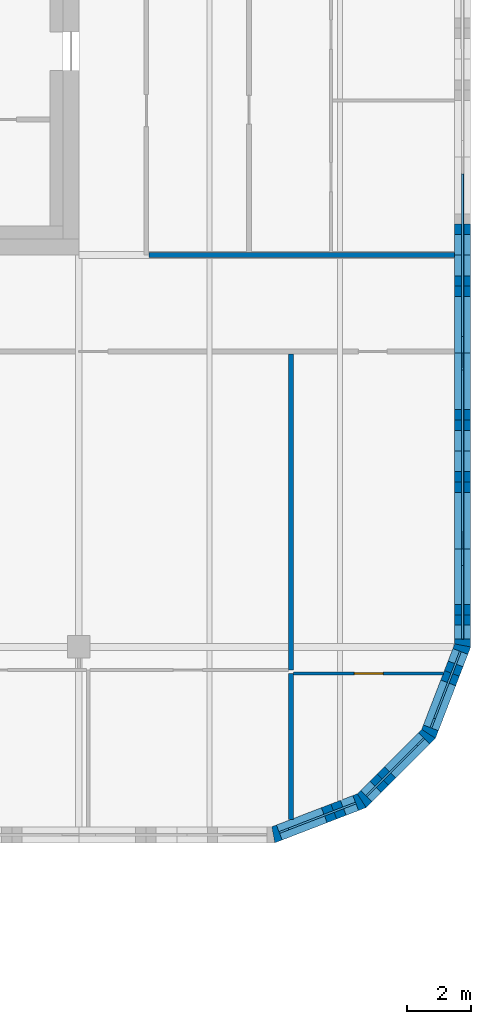
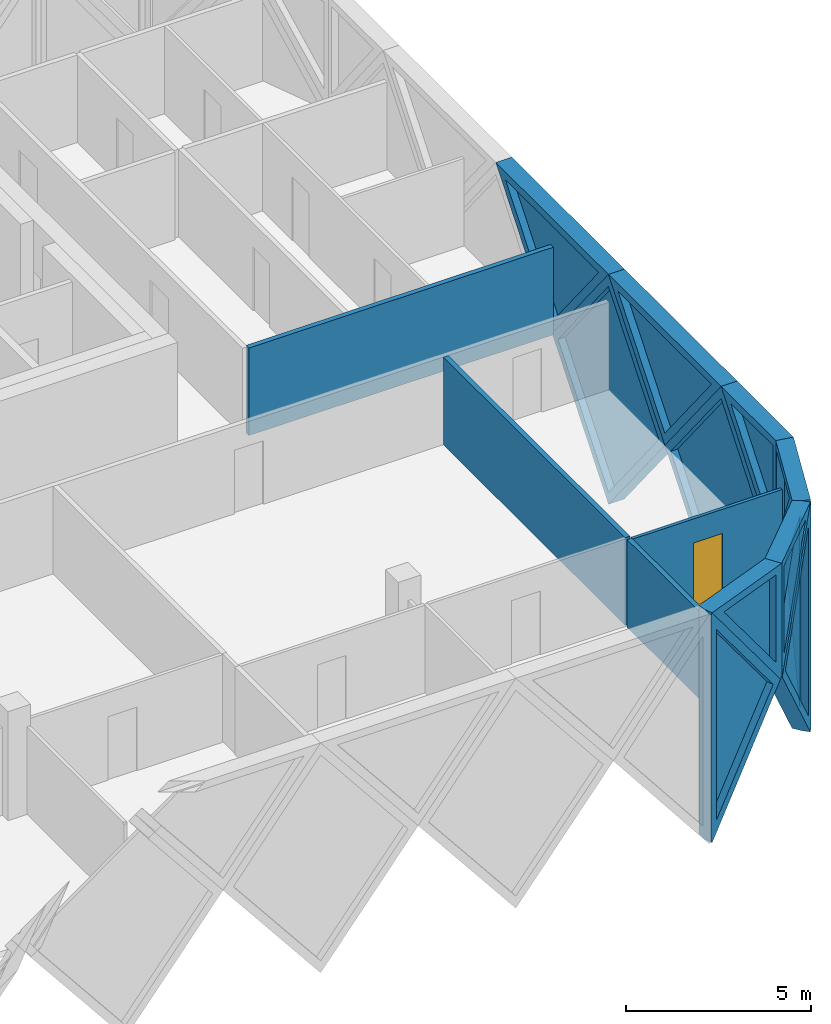
# One storey, part 17 of 21: 15 walls, 11 plates, 1 door, 12 openings.
"""IFC4 building model written with IfcOpenShell, lengths in metres."""

from ifc_helpers import new_model, si_unit, direction, frame, frame_2d, origin, place, context, subcontext, project, spatial, polyline, rectangle, outline, extrude, faceted_brep, source, transform, mapped, material, layer, layer_set, type_object, element, fill, save


model = new_model("IFC4")

# Units and contexts
model_context = context("Model", 3, precision=1e-05, world=origin(), true_north=direction((0.0, 1.0)))
body_context = subcontext(model_context, "Body", "Model", "MODEL_VIEW")
ifc_project = project(units=[si_unit("LENGTHUNIT", "METRE"), si_unit("AREAUNIT", "SQUARE_METRE"), si_unit("VOLUMEUNIT", "CUBIC_METRE"), si_unit("PLANEANGLEUNIT", "RADIAN"), si_unit("MASSUNIT", "GRAM", prefix="KILO")], contexts=[model_context])

# Site, building, storey
site_placement = place(None, origin())
site = spatial("IfcSite", under=ifc_project, at=site_placement, CompositionType="ELEMENT")
building_placement = place(site_placement, origin())
building = spatial("IfcBuilding", under=site, at=building_placement, Name="Tessera Gate Towers", CompositionType="ELEMENT")
storey_placement = place(building_placement, frame((0.0, 0.0, 91.39990234375)))
storey = spatial("IfcBuildingStorey", under=building, at=storey_placement, Name="L22", CompositionType="ELEMENT", Elevation=91.39990234375)

# Wall
ifc_material_1 = material(Name="Gypsum board on steel studs, mineral wool", Category="steel")
ifc_layer_1 = layer(ifc_material_1, 0.14990234375)
ifc_layer_set_1 = layer_set([ifc_layer_1], Name="CORRIDOR WALL 150")
wall_type_1 = type_object("IfcWallType", Name="CORRIDOR WALL 150", PredefinedType="PARTITIONING", material=ifc_layer_set_1)
wall_1_placement = place(storey_placement, frame((124.176025390625, 36.60009765625, 0.0), z_axis=(0.0, 0.0, 1.0), x_axis=(1.0, 0.0, 0.0)))
element("IfcWall", 1, at=wall_1_placement, inside=storey, type_object=wall_type_1, Name="T2-L22-PW-025", PredefinedType="PARTITIONING", context=body_context, shape_type="SweptSolid", body=[
    extrude(rectangle(XDim=9.52392578125, YDim=0.14990234375, at=frame_2d((4.761962890625, 0.0))), origin(), (0.0, 0.0, 1.0), 2.89501953125),
])

# Wall, opening, door
ifc_material_2 = material(Name="Gypsum board on steel studs", Category="steel")
ifc_layer_2 = layer(ifc_material_2, 0.10009765625)
ifc_layer_set_2 = layer_set([ifc_layer_2], Name="PARTITION 100")
wall_type_2 = type_object("IfcWallType", Name="PARTITION 100", PredefinedType="PARTITIONING", material=ifc_layer_set_2)
wall_2_placement = place(storey_placement, frame((133.345703125, 23.574951171875, 0.0), z_axis=(0.0, 0.0, 1.0), x_axis=(-1.0, 0.0, 0.0)))
wall_2 = element("IfcWall", 2, at=wall_2_placement, inside=storey, type_object=wall_type_2, Name="T2-L22-PW-008", PredefinedType="PARTITIONING", context=body_context, shape_type="SweptSolid", body=[
    extrude(rectangle(XDim=4.669677734375, YDim=0.10009765625, at=frame_2d((2.3349609375, 0.0))), origin(), (0.0, 0.0, 1.0), 2.89501953125),
])
shared_shape_1 = source(origin(), body_context, "Body", "SweptSolid", [
    extrude(rectangle(XDim=0.89990234375, YDim=2.10009765625, at=frame_2d((0.449951171875, 1.050048828125))), frame((0.0, 0.06005859375, 0.0), z_axis=(0.0, -1.0, 0.0), x_axis=(1.0, 0.0, 0.0)), (0.0, 0.0, 1.0), 0.1201171875),
])
opening_1_placement = place(wall_2_placement, frame((1.869873046875, 0.0, 0.0)))
opening_1 = element("IfcOpeningElement", 3, at=opening_1_placement, cuts=wall_2, Name="Opening D190-B09-04", PredefinedType="OPENING", context=body_context, shape_type="MappedRepresentation", body=[
    mapped(shared_shape_1, transform((0.0, 0.0, 0.0), scale=1.0)),
])
ifc_material_3 = material(Name="Timber door leaf in steel frame", Category="steel")
door_type = type_object("IfcDoorType", Name="INTERNAL DOOR 900 NOT RATED", OperationType="NOTDEFINED", PredefinedType="DOOR", material=ifc_material_3)
shared_shape_2 = source(origin(), body_context, "Body", "SweptSolid", [
    extrude(rectangle(XDim=0.89990234375, YDim=2.10009765625, at=frame_2d((0.449951171875, 1.050048828125))), frame((0.0, 0.02490234375, 0.0), z_axis=(0.0, -1.0, 0.0), x_axis=(1.0, 0.0, 0.0)), (0.0, 0.0, 1.0), 0.050048828125),
])
door_placement = place(opening_1_placement, origin())
door = element("IfcDoor", 4, at=door_placement, inside=storey, type_object=door_type, Name="T2-L22-PD-005", OperationType="SINGLE_SWING_RIGHT", OverallHeight=2.10009765625, OverallWidth=0.89990234375, PredefinedType="DOOR", context=body_context, shape_type="MappedRepresentation", body=[
    mapped(shared_shape_2, transform((0.0, 0.0, 0.0), scale=1.0)),
])
fill(opening_1, door)

# Walls
ifc_material_4 = material(Name="Gypsum board on steel studs, mineral wool", Category="steel")
ifc_layer_3 = layer(ifc_material_4, 0.14990234375)
ifc_layer_set_3 = layer_set([ifc_layer_3], Name="TENANCY WALL 150")
wall_type_3 = type_object("IfcWallType", Name="TENANCY WALL 150", PredefinedType="PARTITIONING", material=ifc_layer_set_3)
wall_3_placement = place(storey_placement, frame((128.60009765625, 19.02880859375, 0.0), z_axis=(0.0, 0.0, 1.0), x_axis=(0.0, 1.0, 0.0)))
element("IfcWall", 5, at=wall_3_placement, inside=storey, type_object=wall_type_3, Name="T2-L22-PW-007", PredefinedType="PARTITIONING", context=body_context, shape_type="SweptSolid", body=[
    extrude(rectangle(XDim=4.546142578125, YDim=0.14990234375, at=frame_2d((2.27294921875, 0.0))), origin(), (0.0, 0.0, 1.0), 2.89501953125),
])
wall_4_placement = place(storey_placement, frame((128.60009765625, 23.679931640625, 0.0), z_axis=(0.0, 0.0, 1.0), x_axis=(0.0, 1.0, 0.0)))
element("IfcWall", 6, at=wall_4_placement, inside=storey, type_object=wall_type_3, Name="T2-L22-PW-012", PredefinedType="PARTITIONING", context=body_context, shape_type="SweptSolid", body=[
    extrude(rectangle(XDim=9.843994140625, YDim=0.14990234375, at=frame_2d((4.921875, 0.0))), origin(), (0.0, 0.0, 1.0), 2.89501953125),
])

# Wall, opening, plate
ifc_material_5 = material(Name="Precast concrete C60/75 white", Category="concrete")
ifc_layer_4 = layer(ifc_material_5, 0.5)
ifc_layer_set_4 = layer_set([ifc_layer_4], Name="TS1 tessera")
wall_type_4 = type_object("IfcWallType", Name="TS1 tessera", PredefinedType="SOLIDWALL", material=ifc_layer_set_4)
shared_shape_3 = source(origin(), body_context, "Body", "SweptSolid", [
    extrude(outline(polyline([(3.050048828125, 0.0), (6.10009765625, 3.7998046875), (3.050048828125, 7.599853515625), (0.0, 3.7998046875), (3.050048828125, 0.0)])), frame((0.0, 0.25, 0.0), z_axis=(0.0, -1.0, 0.0), x_axis=(1.0, 0.0, 0.0)), (0.0, 0.0, 1.0), 0.5),
])
wall_5_placement = place(storey_placement, frame((133.949951171875, 30.5, -3.7998046875), z_axis=(0.0, 0.0, 1.0), x_axis=(0.0, 1.0, 0.0)))
wall_5 = element("IfcWall", 7, at=wall_5_placement, inside=storey, type_object=wall_type_4, Name="Precast tessera T2 TS1-0276", PredefinedType="SOLIDWALL", context=body_context, shape_type="MappedRepresentation", body=[
    mapped(shared_shape_3, transform((0.0, 0.0, 0.0), scale=1.0)),
])
shared_shape_4 = source(origin(), body_context, "Body", "SweptSolid", [
    extrude(outline(polyline([(3.050048828125, 0.3994140625), (5.779541015625, 3.7998046875), (3.050048828125, 7.200439453125), (0.320556640625, 3.7998046875), (3.050048828125, 0.3994140625)])), frame((0.0, 0.260009765625, 0.0), z_axis=(0.0, -1.0, 0.0), x_axis=(1.0, 0.0, 0.0)), (0.0, 0.0, 1.0), 0.52001953125),
])
opening_2_placement = place(wall_5_placement, origin())
opening_2 = element("IfcOpeningElement", 8, at=opening_2_placement, cuts=wall_5, Name="Opening T2-PL2-0522", PredefinedType="OPENING", context=body_context, shape_type="MappedRepresentation", body=[
    mapped(shared_shape_4, transform((0.0, 0.0, 0.0), scale=1.0)),
])
ifc_material_6 = material(Name="Low-e laminated glass", Category="glass")
ifc_layer_5 = layer(ifc_material_6, 0.06005859375)
ifc_layer_set_5 = layer_set([ifc_layer_5], Name="PL2 rhombic pane")
plate_type_1 = type_object("IfcPlateType", Name="PL2 rhombic pane", PredefinedType="SHEET", material=ifc_layer_set_5)
shared_shape_5 = source(origin(), body_context, "Body", "SweptSolid", [
    extrude(outline(polyline([(3.050048828125, 0.3994140625), (5.779541015625, 3.7998046875), (3.050048828125, 7.200439453125), (0.320556640625, 3.7998046875), (3.050048828125, 0.3994140625)])), frame((0.0, 0.030029296875, 0.0), z_axis=(0.0, -1.0, 0.0), x_axis=(1.0, 0.0, 0.0)), (0.0, 0.0, 1.0), 0.06005859375),
])
plate_1_placement = place(opening_2_placement, origin())
plate_1 = element("IfcPlate", 9, at=plate_1_placement, inside=storey, type_object=plate_type_1, Name="Glass pane T2 PL2-0522", PredefinedType="SHEET", context=body_context, shape_type="MappedRepresentation", body=[
    mapped(shared_shape_5, transform((0.0, 0.0, 0.0), scale=1.0)),
])
fill(opening_2, plate_1)

ifc_material_7 = material(Name="Precast concrete C60/75 white", Category="concrete")
ifc_layer_6 = layer(ifc_material_7, 0.5)
ifc_layer_set_6 = layer_set([ifc_layer_6], Name="TS3 corner tessera")
wall_type_5 = type_object("IfcWallType", Name="TS3 corner tessera", PredefinedType="SOLIDWALL", material=ifc_layer_set_6)
shared_shape_6 = source(origin(), body_context, "Body", "Brep", [
    faceted_brep([(0.046630859375, -0.25, 0.0), (2.9970703125, -0.25, 3.7998046875), (0.046630859375, -0.25, 7.599853515625), (0.0, -0.25, 7.541015625), (0.0, -0.25, 0.058837890625), (0.09326171875, 0.25, 7.539794921875), (2.9443359375, 0.25, 3.867919921875), (2.9443359375, 0.25, 3.731689453125), (0.09326171875, 0.25, 0.06005859375), (2.9970703125, 0.00048828125, 3.7998046875), (0.046630859375, 0.0, 0.0), (0.046630859375, 0.0, 7.599853515625)], [[[0, 1, 2, 3, 4]], [[5, 6, 7, 8]], [[8, 7, 9, 1, 0, 10]], [[6, 5, 11, 2, 1, 9]], [[3, 2, 11]], [[10, 0, 4]], [[8, 10, 4, 3, 11, 5]], [[9, 7, 6]]]),
])
wall_6_placement = place(storey_placement, frame((128.010009765625, 18.533203125, -3.7998046875), z_axis=(0.0, 0.0, 1.0), x_axis=(0.932990326376, 0.359901446078, 0.0)))
wall_6 = element("IfcWall", 10, at=wall_6_placement, inside=storey, type_object=wall_type_5, Name="Precast corner tessera T2 TS3-0324", PredefinedType="SOLIDWALL", context=body_context, shape_type="MappedRepresentation", body=[
    mapped(shared_shape_6, transform((0.0, 0.0, 0.0), scale=1.0)),
])
shared_shape_7 = source(origin(), body_context, "Body", "SweptSolid", [
    extrude(outline(polyline([(0.24658203125, 0.6650390625), (2.6806640625, 3.7998046875), (0.24658203125, 6.9345703125), (0.24658203125, 0.6650390625)])), frame((0.0, 0.260009765625, 0.0), z_axis=(0.0, -1.0, 0.0), x_axis=(1.0, 0.0, 0.0)), (0.0, 0.0, 1.0), 0.52001953125),
])
opening_3_placement = place(wall_6_placement, origin())
opening_3 = element("IfcOpeningElement", 11, at=opening_3_placement, cuts=wall_6, Name="Opening T2-PL2-0518", PredefinedType="OPENING", context=body_context, shape_type="MappedRepresentation", body=[
    mapped(shared_shape_7, transform((0.0, 0.0, 0.0), scale=1.0)),
])
shared_shape_8 = source(origin(), body_context, "Body", "SweptSolid", [
    extrude(outline(polyline([(0.24658203125, 0.6650390625), (2.6806640625, 3.7998046875), (0.24658203125, 6.9345703125), (0.24658203125, 0.6650390625)])), frame((0.0, 0.030029296875, 0.0), z_axis=(0.0, -1.0, 0.0), x_axis=(1.0, 0.0, 0.0)), (0.0, 0.0, 1.0), 0.06005859375),
])
plate_2_placement = place(opening_3_placement, origin())
plate_2 = element("IfcPlate", 12, at=plate_2_placement, inside=storey, type_object=plate_type_1, Name="Glass pane T2 PL2-0518", PredefinedType="SHEET", context=body_context, shape_type="MappedRepresentation", body=[
    mapped(shared_shape_8, transform((0.0, 0.0, 0.0), scale=1.0)),
])
fill(opening_3, plate_2)

shared_shape_9 = source(origin(), body_context, "Body", "Brep", [
    faceted_brep([(3.00341796875, -0.25, 0.0), (6.053466796875, -0.25, 3.7998046875), (3.00341796875, -0.25, 7.599853515625), (0.0, -0.25, 3.7998046875), (0.046630859375, 0.25, 3.858642578125), (3.00341796875, 0.25, 7.599853515625), (6.053466796875, 0.25, 3.7998046875), (3.00341796875, 0.25, 0.0), (0.046630859375, 0.25, 3.740966796875), (0.0, 0.0, 3.7998046875)], [[[0, 1, 2, 3]], [[4, 5, 6, 7, 8]], [[7, 6, 1, 0]], [[6, 5, 2, 1]], [[5, 4, 9, 3, 2]], [[8, 7, 0, 3, 9]], [[8, 9, 4]]]),
])
wall_7_placement = place(storey_placement, frame((133.949951171875, 24.446533203125, -3.7998046875), z_axis=(0.0, 0.0, 1.0), x_axis=(0.0, 1.0, 0.0)))
wall_7 = element("IfcWall", 13, at=wall_7_placement, inside=storey, type_object=wall_type_4, Name="Precast tessera T2 TS1-0275", PredefinedType="SOLIDWALL", context=body_context, shape_type="MappedRepresentation", body=[
    mapped(shared_shape_9, transform((0.0, 0.0, 0.0), scale=1.0)),
])
shared_shape_10 = source(origin(), body_context, "Body", "SweptSolid", [
    extrude(outline(polyline([(3.0048828125, 0.401123046875), (5.73291015625, 3.7998046875), (3.0048828125, 7.19873046875), (0.318603515625, 3.7998046875), (3.0048828125, 0.401123046875)])), frame((0.0, 0.260009765625, 0.0), z_axis=(0.0, -1.0, 0.0), x_axis=(1.0, 0.0, 0.0)), (0.0, 0.0, 1.0), 0.52001953125),
])
opening_4_placement = place(wall_7_placement, origin())
opening_4 = element("IfcOpeningElement", 14, at=opening_4_placement, cuts=wall_7, Name="Opening T2-PL2-0521", PredefinedType="OPENING", context=body_context, shape_type="MappedRepresentation", body=[
    mapped(shared_shape_10, transform((0.0, 0.0, 0.0), scale=1.0)),
])
shared_shape_11 = source(origin(), body_context, "Body", "SweptSolid", [
    extrude(outline(polyline([(3.0048828125, 0.401123046875), (5.73291015625, 3.7998046875), (3.0048828125, 7.19873046875), (0.318603515625, 3.7998046875), (3.0048828125, 0.401123046875)])), frame((0.0, 0.030029296875, 0.0), z_axis=(0.0, -1.0, 0.0), x_axis=(1.0, 0.0, 0.0)), (0.0, 0.0, 1.0), 0.06005859375),
])
plate_3_placement = place(opening_4_placement, origin())
plate_3 = element("IfcPlate", 15, at=plate_3_placement, inside=storey, type_object=plate_type_1, Name="Glass pane T2 PL2-0521", PredefinedType="SHEET", context=body_context, shape_type="MappedRepresentation", body=[
    mapped(shared_shape_11, transform((0.0, 0.0, 0.0), scale=1.0)),
])
fill(opening_4, plate_3)

shared_shape_12 = source(origin(), body_context, "Body", "Brep", [
    faceted_brep([(2.944091796875, -0.25, 0.0), (2.9970703125, -0.25, 0.068115234375), (2.9970703125, -0.25, 7.53173828125), (2.944091796875, -0.25, 7.599853515625), (0.0, -0.25, 3.7998046875), (0.052978515625, 0.25, 3.8681640625), (2.89111328125, 0.25, 7.53173828125), (2.89111328125, 0.25, 0.068115234375), (0.052978515625, 0.25, 3.7314453125), (2.944091796875, 0.000244140625, 0.0), (2.944091796875, 0.000244140625, 7.599853515625), (0.0, 0.0, 3.7998046875)], [[[0, 1, 2, 3, 4]], [[5, 6, 7, 8]], [[1, 0, 9]], [[10, 3, 2]], [[6, 5, 11, 4, 3, 10]], [[8, 7, 9, 0, 4, 11]], [[8, 11, 5]], [[1, 9, 7, 6, 10, 2]]]),
])
wall_8_placement = place(storey_placement, frame((130.80615234375, 19.61181640625, -3.7998046875), z_axis=(0.0, 0.0, 1.0), x_axis=(0.707106781187, 0.707106781187, 0.0)))
wall_8 = element("IfcWall", 16, at=wall_8_placement, inside=storey, type_object=wall_type_5, Name="Precast corner tessera T2 TS3-0325", PredefinedType="SOLIDWALL", context=body_context, shape_type="MappedRepresentation", body=[
    mapped(shared_shape_12, transform((0.0, 0.0, 0.0), scale=1.0)),
])
shared_shape_13 = source(origin(), body_context, "Body", "SweptSolid", [
    extrude(outline(polyline([(2.744140625, 6.93359375), (0.316162109375, 3.7998046875), (2.744140625, 0.666259765625), (2.744140625, 6.93359375)])), frame((0.0, 0.260009765625, 0.0), z_axis=(0.0, -1.0, 0.0), x_axis=(1.0, 0.0, 0.0)), (0.0, 0.0, 1.0), 0.52001953125),
])
opening_5_placement = place(wall_8_placement, origin())
opening_5 = element("IfcOpeningElement", 17, at=opening_5_placement, cuts=wall_8, Name="Opening T2-PL2-0519", PredefinedType="OPENING", context=body_context, shape_type="MappedRepresentation", body=[
    mapped(shared_shape_13, transform((0.0, 0.0, 0.0), scale=1.0)),
])
shared_shape_14 = source(origin(), body_context, "Body", "SweptSolid", [
    extrude(outline(polyline([(2.744140625, 6.93359375), (0.316162109375, 3.7998046875), (2.744140625, 0.666259765625), (2.744140625, 6.93359375)])), frame((0.0, 0.030029296875, 0.0), z_axis=(0.0, -1.0, 0.0), x_axis=(1.0, 0.0, 0.0)), (0.0, 0.0, 1.0), 0.06005859375),
])
plate_4_placement = place(opening_5_placement, origin())
plate_4 = element("IfcPlate", 18, at=plate_4_placement, inside=storey, type_object=plate_type_1, Name="Glass pane T2 PL2-0519", PredefinedType="SHEET", context=body_context, shape_type="MappedRepresentation", body=[
    mapped(shared_shape_14, transform((0.0, 0.0, 0.0), scale=1.0)),
])
fill(opening_5, plate_4)

shared_shape_15 = source(origin(), body_context, "Body", "Brep", [
    faceted_brep([(0.052978515625, -0.25, 0.0), (3.00341796875, -0.25, 3.7998046875), (0.052978515625, -0.25, 7.599853515625), (0.0, -0.25, 7.531494140625), (0.0, -0.25, 0.068359375), (0.10595703125, 0.25, 7.53173828125), (2.95703125, 0.25, 3.859619140625), (2.95703125, 0.25, 3.739990234375), (0.10595703125, 0.25, 0.068115234375), (3.00341796875, 0.00048828125, 3.7998046875), (0.052978515625, 0.0, 0.0), (0.052978515625, 0.0, 7.599853515625)], [[[0, 1, 2, 3, 4]], [[5, 6, 7, 8]], [[8, 7, 9, 1, 0, 10]], [[6, 5, 11, 2, 1, 9]], [[3, 2, 11]], [[10, 0, 4]], [[8, 10, 4, 3, 11, 5]], [[9, 7, 6]]]),
])
wall_9_placement = place(storey_placement, frame((132.869140625, 21.644287109375, -3.7998046875), z_axis=(0.0, 0.0, 1.0), x_axis=(0.359855894603, 0.933007896601, 0.0)))
wall_9 = element("IfcWall", 19, at=wall_9_placement, inside=storey, type_object=wall_type_5, Name="Precast corner tessera T2 TS3-0326", PredefinedType="SOLIDWALL", context=body_context, shape_type="MappedRepresentation", body=[
    mapped(shared_shape_15, transform((0.0, 0.0, 0.0), scale=1.0)),
])
shared_shape_16 = source(origin(), body_context, "Body", "SweptSolid", [
    extrude(outline(polyline([(0.2529296875, 0.6650390625), (2.68701171875, 3.7998046875), (0.2529296875, 6.9345703125), (0.2529296875, 0.6650390625)])), frame((0.0, 0.260009765625, 0.0), z_axis=(0.0, -1.0, 0.0), x_axis=(1.0, 0.0, 0.0)), (0.0, 0.0, 1.0), 0.52001953125),
])
opening_6_placement = place(wall_9_placement, origin())
opening_6 = element("IfcOpeningElement", 20, at=opening_6_placement, cuts=wall_9, Name="Opening T2-PL2-0520", PredefinedType="OPENING", context=body_context, shape_type="MappedRepresentation", body=[
    mapped(shared_shape_16, transform((0.0, 0.0, 0.0), scale=1.0)),
])
shared_shape_17 = source(origin(), body_context, "Body", "SweptSolid", [
    extrude(outline(polyline([(0.2529296875, 0.6650390625), (2.68701171875, 3.7998046875), (0.2529296875, 6.9345703125), (0.2529296875, 0.6650390625)])), frame((0.0, 0.030029296875, 0.0), z_axis=(0.0, -1.0, 0.0), x_axis=(1.0, 0.0, 0.0)), (0.0, 0.0, 1.0), 0.06005859375),
])
plate_5_placement = place(opening_6_placement, origin())
plate_5 = element("IfcPlate", 21, at=plate_5_placement, inside=storey, type_object=plate_type_1, Name="Glass pane T2 PL2-0520", PredefinedType="SHEET", context=body_context, shape_type="MappedRepresentation", body=[
    mapped(shared_shape_17, transform((0.0, 0.0, 0.0), scale=1.0)),
])
fill(opening_6, plate_5)

shared_shape_18 = source(origin(), body_context, "Body", "Brep", [
    faceted_brep([(0.046630859375, -0.25, 0.0), (3.050048828125, -0.25, 3.800048828125), (0.0, -0.25, 3.800048828125), (0.0, -0.25, 0.06005859375), (0.09326171875, 0.25, 3.800048828125), (3.050048828125, 0.25, 3.800048828125), (0.09326171875, 0.25, 0.058837890625), (0.046630859375, 0.0, 0.0)], [[[0, 1, 2, 3]], [[4, 5, 6]], [[6, 5, 1, 0, 7]], [[5, 4, 2, 1]], [[7, 0, 3]], [[6, 7, 3, 2, 4]]]),
])
wall_10_placement = place(storey_placement, frame((133.949951171875, 24.39990234375, 0.0), z_axis=(0.0, 0.0, 1.0), x_axis=(0.0, 1.0, 0.0)))
wall_10 = element("IfcWall", 22, at=wall_10_placement, inside=storey, type_object=wall_type_5, Name="Precast corner tessera T2 TS3-0340", PredefinedType="SOLIDWALL", context=body_context, shape_type="MappedRepresentation", body=[
    mapped(shared_shape_18, transform((0.0, 0.0, 0.0), scale=1.0)),
])
shared_shape_19 = source(origin(), body_context, "Body", "SweptSolid", [
    extrude(outline(polyline([(0.24658203125, 0.65625), (2.533935546875, 3.550048828125), (0.24658203125, 3.550048828125), (0.24658203125, 0.65625)])), frame((0.0, 0.260009765625, 0.0), z_axis=(0.0, -1.0, 0.0), x_axis=(1.0, 0.0, 0.0)), (0.0, 0.0, 1.0), 0.52001953125),
])
opening_7_placement = place(wall_10_placement, origin())
opening_7 = element("IfcOpeningElement", 23, at=opening_7_placement, cuts=wall_10, Name="Opening T2-PL1-0179", PredefinedType="OPENING", context=body_context, shape_type="MappedRepresentation", body=[
    mapped(shared_shape_19, transform((0.0, 0.0, 0.0), scale=1.0)),
])
ifc_material_8 = material(Name="Low-e laminated glass", Category="glass")
ifc_layer_7 = layer(ifc_material_8, 0.06005859375)
ifc_layer_set_7 = layer_set([ifc_layer_7], Name="PL1 triangular pane")
plate_type_2 = type_object("IfcPlateType", Name="PL1 triangular pane", PredefinedType="SHEET", material=ifc_layer_set_7)
shared_shape_20 = source(origin(), body_context, "Body", "SweptSolid", [
    extrude(outline(polyline([(0.24658203125, 0.65625), (2.533935546875, 3.550048828125), (0.24658203125, 3.550048828125), (0.24658203125, 0.65625)])), frame((0.0, 0.030029296875, 0.0), z_axis=(0.0, -1.0, 0.0), x_axis=(1.0, 0.0, 0.0)), (0.0, 0.0, 1.0), 0.06005859375),
])
plate_6_placement = place(opening_7_placement, origin())
plate_6 = element("IfcPlate", 24, at=plate_6_placement, inside=storey, type_object=plate_type_2, Name="Glass pane T2 PL1-0179", PredefinedType="SHEET", context=body_context, shape_type="MappedRepresentation", body=[
    mapped(shared_shape_20, transform((0.0, 0.0, 0.0), scale=1.0)),
])
fill(opening_7, plate_6)

ifc_material_9 = material(Name="Precast concrete C60/75 white", Category="concrete")
ifc_layer_8 = layer(ifc_material_9, 0.5)
ifc_layer_set_8 = layer_set([ifc_layer_8], Name="TS2 half tessera")
wall_type_6 = type_object("IfcWallType", Name="TS2 half tessera", PredefinedType="SOLIDWALL", material=ifc_layer_set_8)
shared_shape_21 = source(origin(), body_context, "Body", "Brep", [
    faceted_brep([(3.050048828125, -0.25, 0.0), (6.099853515625, -0.25, 3.7998046875), (6.099853515625, -0.25, 3.800048828125), (0.0, -0.25, 3.800048828125), (0.0, 0.25, 3.800048828125), (6.099853515625, 0.25, 3.800048828125), (6.099853515625, 0.25, 3.7998046875), (3.050048828125, 0.25, 0.0)], [[[0, 1, 2, 3]], [[4, 5, 6, 7]], [[7, 6, 1, 0]], [[5, 4, 3, 2]], [[4, 7, 0, 3]], [[1, 6, 5, 2]]]),
])
wall_11_placement = place(storey_placement, frame((133.949951171875, 33.550048828125, 0.0), z_axis=(0.0, 0.0, 1.0), x_axis=(0.0, 1.0, 0.0)))
wall_11 = element("IfcWall", 25, at=wall_11_placement, inside=storey, type_object=wall_type_6, Name="Precast half tessera T2 TS2-0097", PredefinedType="SOLIDWALL", context=body_context, shape_type="MappedRepresentation", body=[
    mapped(shared_shape_21, transform((0.0, 0.0, 0.0), scale=1.0)),
])
shared_shape_22 = source(origin(), body_context, "Body", "SweptSolid", [
    extrude(outline(polyline([(3.050048828125, 0.3994140625), (5.578857421875, 3.550048828125), (0.521240234375, 3.550048828125), (3.050048828125, 0.3994140625)])), frame((0.0, 0.260009765625, 0.0), z_axis=(0.0, -1.0, 0.0), x_axis=(1.0, 0.0, 0.0)), (0.0, 0.0, 1.0), 0.52001953125),
])
opening_8_placement = place(wall_11_placement, origin())
opening_8 = element("IfcOpeningElement", 26, at=opening_8_placement, cuts=wall_11, Name="Opening T2-PL1-0181", PredefinedType="OPENING", context=body_context, shape_type="MappedRepresentation", body=[
    mapped(shared_shape_22, transform((0.0, 0.0, 0.0), scale=1.0)),
])
shared_shape_23 = source(origin(), body_context, "Body", "SweptSolid", [
    extrude(outline(polyline([(3.050048828125, 0.3994140625), (5.578857421875, 3.550048828125), (0.521240234375, 3.550048828125), (3.050048828125, 0.3994140625)])), frame((0.0, 0.030029296875, 0.0), z_axis=(0.0, -1.0, 0.0), x_axis=(1.0, 0.0, 0.0)), (0.0, 0.0, 1.0), 0.06005859375),
])
plate_7_placement = place(opening_8_placement, origin())
plate_7 = element("IfcPlate", 27, at=plate_7_placement, inside=storey, type_object=plate_type_2, Name="Glass pane T2 PL1-0181", PredefinedType="SHEET", context=body_context, shape_type="MappedRepresentation", body=[
    mapped(shared_shape_23, transform((0.0, 0.0, 0.0), scale=1.0)),
])
fill(opening_8, plate_7)

shared_shape_24 = source(origin(), body_context, "Body", "SweptSolid", [
    extrude(outline(polyline([(3.050048828125, 0.0), (6.10009765625, 3.800048828125), (0.0, 3.800048828125), (3.050048828125, 0.0)])), frame((0.0, 0.25, 0.0), z_axis=(0.0, -1.0, 0.0), x_axis=(1.0, 0.0, 0.0)), (0.0, 0.0, 1.0), 0.5),
])
wall_12_placement = place(storey_placement, frame((133.949951171875, 27.449951171875, 0.0), z_axis=(0.0, 0.0, 1.0), x_axis=(0.0, 1.0, 0.0)))
wall_12 = element("IfcWall", 28, at=wall_12_placement, inside=storey, type_object=wall_type_6, Name="Precast half tessera T2 TS2-0096", PredefinedType="SOLIDWALL", context=body_context, shape_type="MappedRepresentation", body=[
    mapped(shared_shape_24, transform((0.0, 0.0, 0.0), scale=1.0)),
])
opening_9_placement = place(wall_12_placement, origin())
opening_9 = element("IfcOpeningElement", 29, at=opening_9_placement, cuts=wall_12, Name="Opening T2-PL1-0180", PredefinedType="OPENING", context=body_context, shape_type="MappedRepresentation", body=[
    mapped(shared_shape_22, transform((0.0, 0.0, 0.0), scale=1.0)),
])
plate_8_placement = place(opening_9_placement, origin())
plate_8 = element("IfcPlate", 30, at=plate_8_placement, inside=storey, type_object=plate_type_2, Name="Glass pane T2 PL1-0180", PredefinedType="SHEET", context=body_context, shape_type="MappedRepresentation", body=[
    mapped(shared_shape_23, transform((0.0, 0.0, 0.0), scale=1.0)),
])
fill(opening_9, plate_8)

shared_shape_25 = source(origin(), body_context, "Body", "Brep", [
    faceted_brep([(2.950439453125, -0.25, 0.0), (2.9970703125, -0.25, 0.05908203125), (2.9970703125, -0.25, 3.800048828125), (0.0, -0.25, 3.800048828125), (0.052978515625, 0.25, 3.800048828125), (2.904052734375, 0.25, 3.800048828125), (2.904052734375, 0.25, 0.059814453125), (0.052978515625, 0.25, 3.73193359375), (2.950439453125, 0.00048828125, 0.0), (0.0, 0.0, 3.800048828125)], [[[0, 1, 2, 3]], [[4, 5, 6, 7]], [[1, 0, 8]], [[5, 4, 9, 3, 2]], [[7, 6, 8, 0, 3, 9]], [[7, 9, 4]], [[1, 8, 6, 5, 2]]]),
])
wall_13_placement = place(storey_placement, frame((132.88818359375, 21.69384765625, 0.0), z_axis=(0.0, 0.0, 1.0), x_axis=(0.359901446078, 0.932990326376, 0.0)))
wall_13 = element("IfcWall", 31, at=wall_13_placement, inside=storey, type_object=wall_type_5, Name="Precast corner tessera T2 TS3-0339", PredefinedType="SOLIDWALL", context=body_context, shape_type="MappedRepresentation", body=[
    mapped(shared_shape_25, transform((0.0, 0.0, 0.0), scale=1.0)),
])
shared_shape_26 = source(origin(), body_context, "Body", "SweptSolid", [
    extrude(outline(polyline([(2.75048828125, 3.550048828125), (0.5107421875, 3.550048828125), (2.75048828125, 0.665283203125), (2.75048828125, 3.550048828125)])), frame((0.0, 0.260009765625, 0.0), z_axis=(0.0, -1.0, 0.0), x_axis=(1.0, 0.0, 0.0)), (0.0, 0.0, 1.0), 0.52001953125),
])
opening_10_placement = place(wall_13_placement, origin())
opening_10 = element("IfcOpeningElement", 32, at=opening_10_placement, cuts=wall_13, Name="Opening T2-PL1-0178", PredefinedType="OPENING", context=body_context, shape_type="MappedRepresentation", body=[
    mapped(shared_shape_26, transform((0.0, 0.0, 0.0), scale=1.0)),
])
shared_shape_27 = source(origin(), body_context, "Body", "SweptSolid", [
    extrude(outline(polyline([(2.75048828125, 3.550048828125), (0.5107421875, 3.550048828125), (2.75048828125, 0.665283203125), (2.75048828125, 3.550048828125)])), frame((0.0, 0.030029296875, 0.0), z_axis=(0.0, -1.0, 0.0), x_axis=(1.0, 0.0, 0.0)), (0.0, 0.0, 1.0), 0.06005859375),
])
plate_9_placement = place(opening_10_placement, origin())
plate_9 = element("IfcPlate", 33, at=plate_9_placement, inside=storey, type_object=plate_type_2, Name="Glass pane T2 PL1-0178", PredefinedType="SHEET", context=body_context, shape_type="MappedRepresentation", body=[
    mapped(shared_shape_27, transform((0.0, 0.0, 0.0), scale=1.0)),
])
fill(opening_10, plate_9)

shared_shape_28 = source(origin(), body_context, "Body", "Brep", [
    faceted_brep([(2.950439453125, -0.25, 0.0), (3.00341796875, -0.25, 0.068359375), (3.00341796875, -0.25, 3.800048828125), (0.0, -0.25, 3.800048828125), (0.046630859375, 0.25, 3.800048828125), (2.897705078125, 0.25, 3.800048828125), (2.897705078125, 0.25, 0.068115234375), (0.046630859375, 0.25, 3.739990234375), (2.950439453125, 0.00048828125, 0.0), (0.0, 0.0, 3.800048828125)], [[[0, 1, 2, 3]], [[4, 5, 6, 7]], [[1, 0, 8]], [[5, 4, 9, 3, 2]], [[7, 6, 8, 0, 3, 9]], [[7, 9, 4]], [[1, 8, 6, 5, 2]]]),
])
wall_14_placement = place(storey_placement, frame((128.053466796875, 18.550048828125, 0.0), z_axis=(0.0, 0.0, 1.0), x_axis=(0.933007896601, 0.359855894603, 0.0)))
wall_14 = element("IfcWall", 34, at=wall_14_placement, inside=storey, type_object=wall_type_5, Name="Precast corner tessera T2 TS3-0337", PredefinedType="SOLIDWALL", context=body_context, shape_type="MappedRepresentation", body=[
    mapped(shared_shape_28, transform((0.0, 0.0, 0.0), scale=1.0)),
])
opening_11_placement = place(wall_14_placement, origin())
opening_11 = element("IfcOpeningElement", 35, at=opening_11_placement, cuts=wall_14, Name="Opening T2-PL1-0176", PredefinedType="OPENING", context=body_context, shape_type="MappedRepresentation", body=[
    mapped(shared_shape_26, transform((0.0, 0.0, 0.0), scale=1.0)),
])
plate_10_placement = place(opening_11_placement, origin())
plate_10 = element("IfcPlate", 36, at=plate_10_placement, inside=storey, type_object=plate_type_2, Name="Glass pane T2 PL1-0176", PredefinedType="SHEET", context=body_context, shape_type="MappedRepresentation", body=[
    mapped(shared_shape_27, transform((0.0, 0.0, 0.0), scale=1.0)),
])
fill(opening_11, plate_10)

shared_shape_29 = source(origin(), body_context, "Body", "Brep", [
    faceted_brep([(0.052978515625, -0.25, 0.0), (2.9970703125, -0.25, 3.800048828125), (0.0, -0.25, 3.800048828125), (0.0, -0.25, 0.068115234375), (0.10595703125, 0.25, 3.800048828125), (2.944091796875, 0.25, 3.800048828125), (2.944091796875, 0.25, 3.73193359375), (0.10595703125, 0.25, 0.068359375), (2.9970703125, 0.000244140625, 3.800048828125), (0.052978515625, 0.0, 0.0)], [[[0, 1, 2, 3]], [[4, 5, 6, 7]], [[7, 6, 8, 1, 0, 9]], [[5, 4, 2, 1, 8]], [[9, 0, 3]], [[7, 9, 3, 2, 4]], [[6, 5, 8]]]),
])
wall_15_placement = place(storey_placement, frame((130.768798828125, 19.574462890625, 0.0), z_axis=(0.0, 0.0, 1.0), x_axis=(0.707106781187, 0.707106781187, 0.0)))
wall_15 = element("IfcWall", 37, at=wall_15_placement, inside=storey, type_object=wall_type_5, Name="Precast corner tessera T2 TS3-0338", PredefinedType="SOLIDWALL", context=body_context, shape_type="MappedRepresentation", body=[
    mapped(shared_shape_29, transform((0.0, 0.0, 0.0), scale=1.0)),
])
shared_shape_30 = source(origin(), body_context, "Body", "SweptSolid", [
    extrude(outline(polyline([(0.2529296875, 0.66650390625), (2.487060546875, 3.550048828125), (0.2529296875, 3.550048828125), (0.2529296875, 0.66650390625)])), frame((0.0, 0.260009765625, 0.0), z_axis=(0.0, -1.0, 0.0), x_axis=(1.0, 0.0, 0.0)), (0.0, 0.0, 1.0), 0.52001953125),
])
opening_12_placement = place(wall_15_placement, origin())
opening_12 = element("IfcOpeningElement", 38, at=opening_12_placement, cuts=wall_15, Name="Opening T2-PL1-0177", PredefinedType="OPENING", context=body_context, shape_type="MappedRepresentation", body=[
    mapped(shared_shape_30, transform((0.0, 0.0, 0.0), scale=1.0)),
])
shared_shape_31 = source(origin(), body_context, "Body", "SweptSolid", [
    extrude(outline(polyline([(0.2529296875, 0.66650390625), (2.487060546875, 3.550048828125), (0.2529296875, 3.550048828125), (0.2529296875, 0.66650390625)])), frame((0.0, 0.030029296875, 0.0), z_axis=(0.0, -1.0, 0.0), x_axis=(1.0, 0.0, 0.0)), (0.0, 0.0, 1.0), 0.06005859375),
])
plate_11_placement = place(opening_12_placement, origin())
plate_11 = element("IfcPlate", 39, at=plate_11_placement, inside=storey, type_object=plate_type_2, Name="Glass pane T2 PL1-0177", PredefinedType="SHEET", context=body_context, shape_type="MappedRepresentation", body=[
    mapped(shared_shape_31, transform((0.0, 0.0, 0.0), scale=1.0)),
])
fill(opening_12, plate_11)

save(model, "model.ifc")
